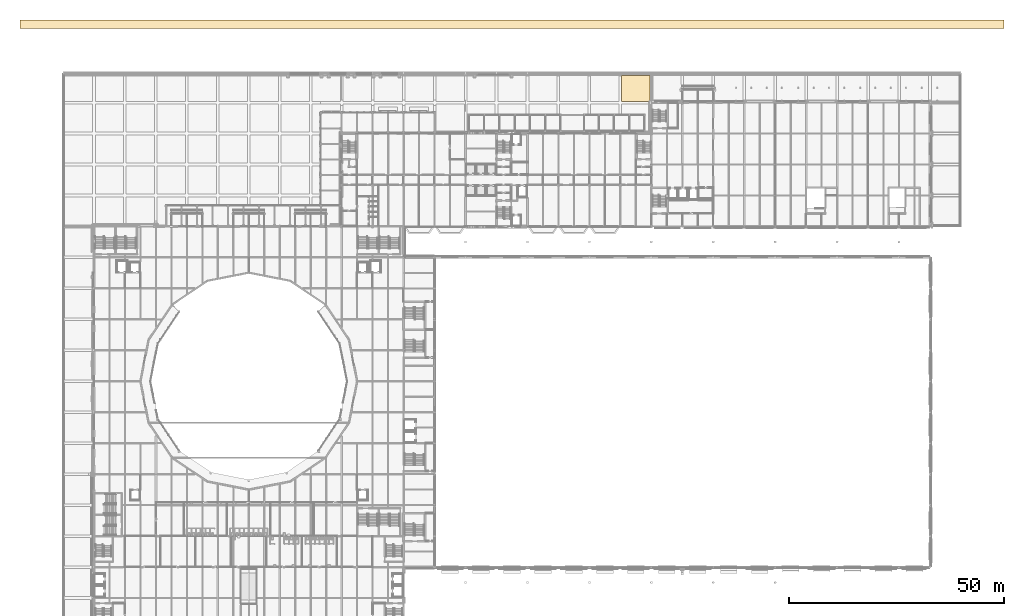
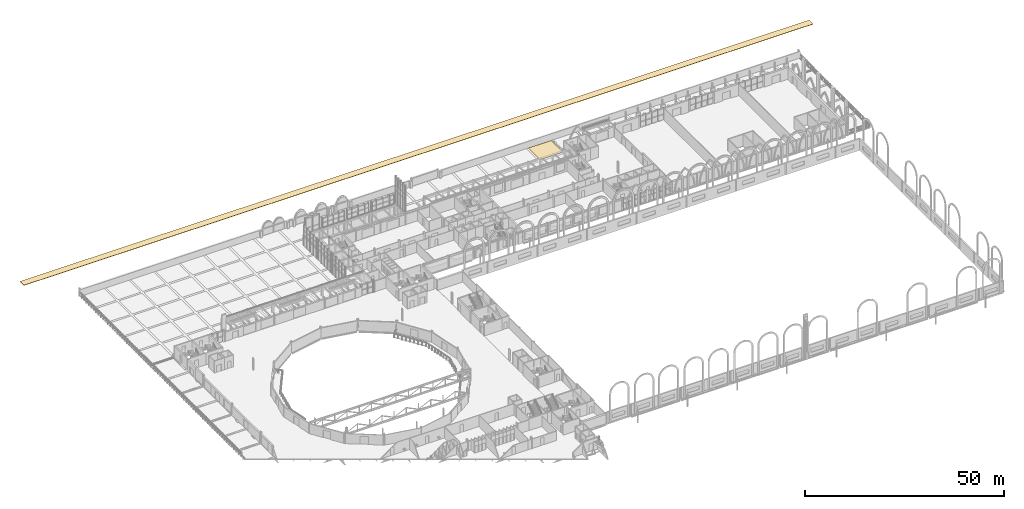
# One storey, part 133 of 143: 2 coverings.
"""IFC4 building model written with IfcOpenShell, lengths in metres."""

from ifc_helpers import new_model, si_unit, direction, frame, origin, place, context, subcontext, project, spatial, polyline, outline, extrude, material, layer, layer_set, type_object, element, save


model = new_model("IFC4")

# Units and contexts
model_context = context("Model", 3, precision=1e-05, world=origin(), true_north=direction((0.0, 1.0)))
body_context = subcontext(model_context, "Body", "Model", "MODEL_VIEW")
ifc_project = project(units=[si_unit("LENGTHUNIT", "METRE"), si_unit("AREAUNIT", "SQUARE_METRE"), si_unit("VOLUMEUNIT", "CUBIC_METRE"), si_unit("PLANEANGLEUNIT", "RADIAN"), si_unit("MASSUNIT", "GRAM", prefix="KILO")], contexts=[model_context])

# Site, building, storey
site_placement = place(None, origin())
site = spatial("IfcSite", under=ifc_project, at=site_placement, CompositionType="ELEMENT")
building_placement = place(site_placement, origin())
building = spatial("IfcBuilding", under=site, at=building_placement, Name="Kupolbacken Congress Centre", CompositionType="ELEMENT")
storey_placement = place(building_placement, frame((0.0, 0.0, 7.199951171875)))
storey = spatial("IfcBuildingStorey", under=building, at=storey_placement, Name="L02", CompositionType="ELEMENT", Elevation=7.199951171875)

# Coverings
ifc_material_1 = material(Name="Limestone cladding", Category="masonry")
ifc_layer_1 = layer(ifc_material_1, 0.02001953125)
ifc_layer_set_1 = layer_set([ifc_layer_1], Name="Limestone cladding")
covering_type_1 = type_object("IfcCoveringType", Name="GF1 limestone paving 20", PredefinedType="FLOORING", material=ifc_layer_set_1)
covering_1_placement = place(storey_placement, origin())
element("IfcCovering", 1, at=covering_1_placement, inside=storey, type_object=covering_type_1, Name="Arrival deck limestone paving", PredefinedType="FLOORING", context=body_context, shape_type="SweptSolid", body=[
    extrude(outline(polyline([(136.5, 157.469970703125), (136.5, 151.773681640625), (136.52490234375, 151.77490234375), (136.49560546875, 151.773681640625), (136.466552734375, 151.769287109375), (136.43798828125, 151.76220703125), (136.41015625, 151.752197265625), (136.383544921875, 151.739501953125), (136.3583984375, 151.724365234375), (136.334716796875, 151.706787109375), (136.31298828125, 151.68701171875), (136.293212890625, 151.665283203125), (136.275634765625, 151.6416015625), (136.260498046875, 151.616455078125), (136.247802734375, 151.58984375), (136.23779296875, 151.56201171875), (136.230712890625, 151.533447265625), (136.226318359375, 151.5), (129.89990234375, 151.5), (129.89990234375, 157.469970703125), (136.5, 157.469970703125)])), origin(), (0.0, 0.0, 1.0), 0.02001953125),
])
ifc_material_2 = material(Name="Grass", Category="soil")
ifc_layer_2 = layer(ifc_material_2, 0.10009765625)
ifc_layer_set_2 = layer_set([ifc_layer_2], Name="Grass")
covering_type_2 = type_object("IfcCoveringType", Name="GR2 grass surface 100", PredefinedType="FLOORING", material=ifc_layer_set_2)
covering_2_placement = place(storey_placement, frame((0.0, 0.0, 0.199951171875)))
element("IfcCovering", 2, at=covering_2_placement, inside=storey, type_object=covering_type_2, Name="Grass verge, upper street verge", PredefinedType="FLOORING", context=body_context, shape_type="SweptSolid", body=[
    extrude(outline(polyline([(-10.0, 168.39990234375), (-10.0, 170.39990234375), (218.800048828125, 170.39990234375), (218.800048828125, 168.39990234375), (-10.0, 168.39990234375)])), origin(), (0.0, 0.0, 1.0), 0.10009765625),
])

save(model, "model.ifc")
